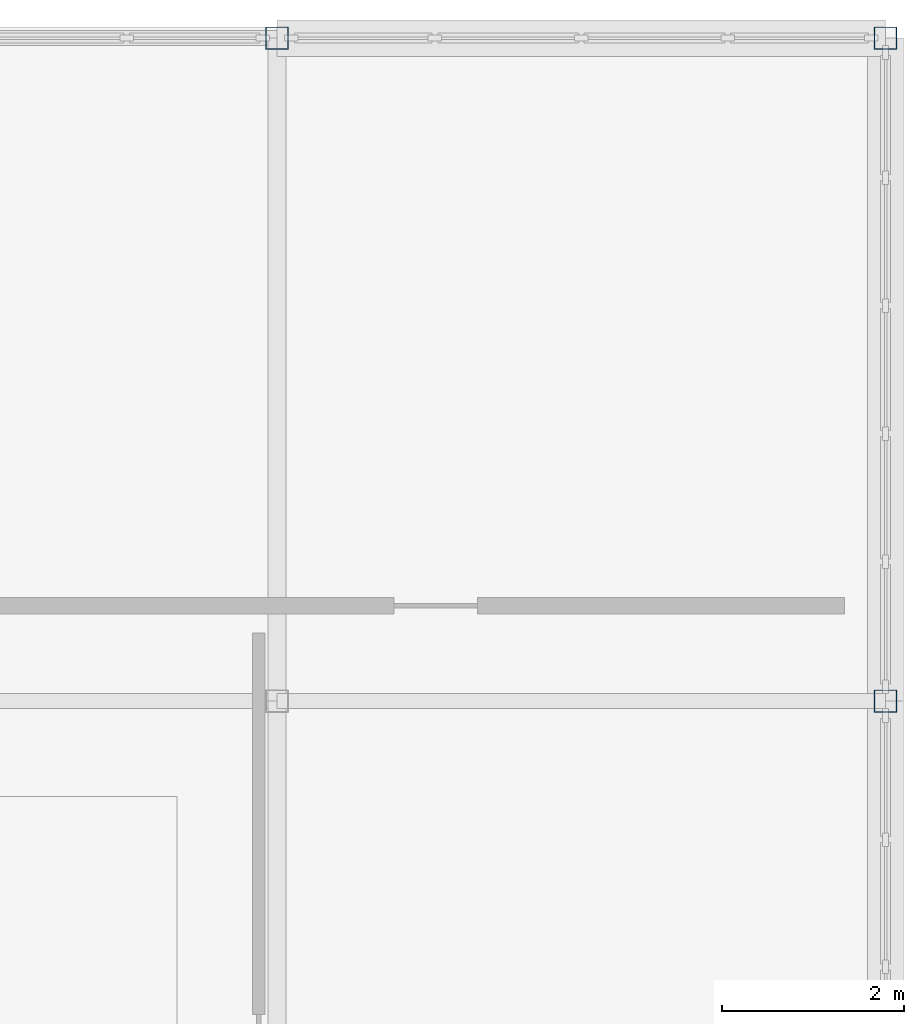
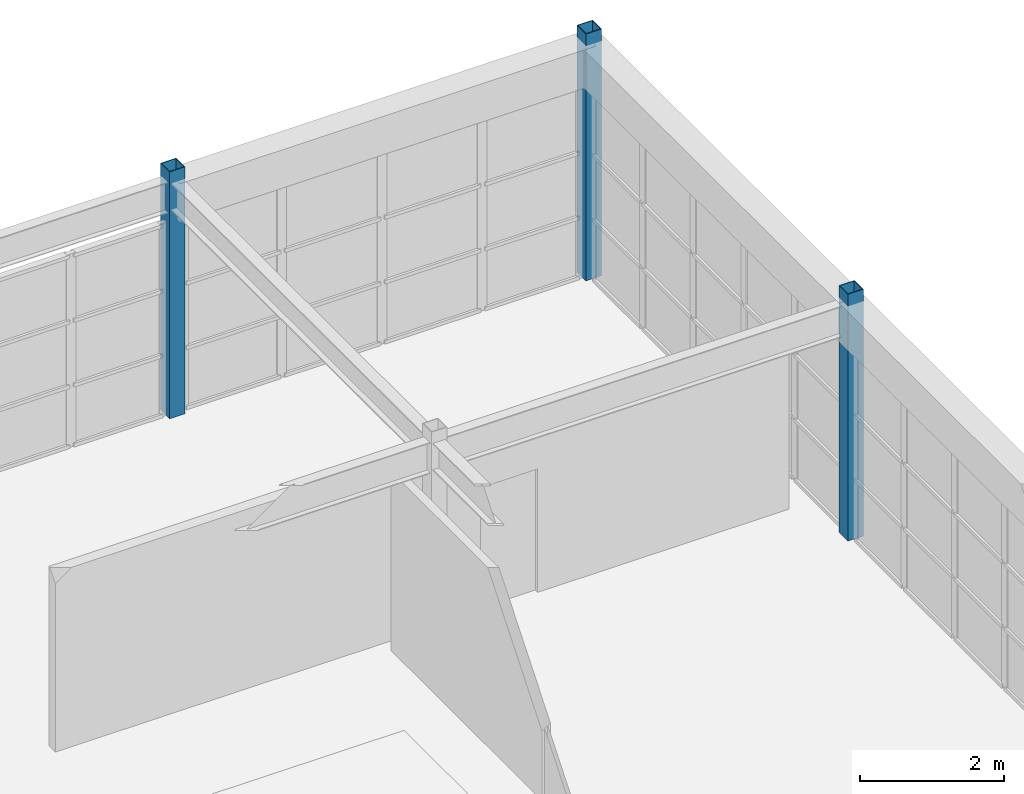
# One storey, part 4 of 19: 3 columns.
"""IFC4 building model written with IfcOpenShell, lengths in metres."""

from ifc_helpers import new_model, si_unit, direction, frame, origin, origin_2d, place, context, subcontext, project, spatial, hollow_rectangle, extrude, material, material_profile, profile_set, type_object, element, save


model = new_model("IFC4")

# Units and contexts
model_context = context("Model", 3, precision=1e-05, world=origin(), true_north=direction((0.0, 1.0)))
body_context = subcontext(model_context, "Body", "Model", "MODEL_VIEW")
ifc_project = project(units=[si_unit("LENGTHUNIT", "METRE"), si_unit("AREAUNIT", "SQUARE_METRE"), si_unit("VOLUMEUNIT", "CUBIC_METRE"), si_unit("PLANEANGLEUNIT", "RADIAN"), si_unit("MASSUNIT", "GRAM", prefix="KILO")], contexts=[model_context])

# Site, building, storey
site_placement = place(None, origin())
site = spatial("IfcSite", under=ifc_project, at=site_placement, CompositionType="ELEMENT")
building_placement = place(site_placement, origin())
building = spatial("IfcBuilding", under=site, at=building_placement, Name="Candilejo Ridge Gondola Terminal", CompositionType="ELEMENT")
storey_placement = place(building_placement, frame((0.0, 0.0, 22.800048828125)))
storey = spatial("IfcBuildingStorey", under=building, at=storey_placement, Name="L05", CompositionType="ELEMENT", Elevation=22.800048828125)

# Columns
ifc_material = material(Name="Steel ASTM A500 Grade C", Category="steel")
ifc_material_profile = material_profile(ifc_material, hollow_rectangle(XDim=0.25, YDim=0.25, WallThickness=0.010009765625, at=origin_2d()))
ifc_profile_set = profile_set([ifc_material_profile], Name="Steel ASTM A500 Grade C")
column_type = type_object("IfcColumnType", Name="STR-COL-HSS250", PredefinedType="COLUMN", material=ifc_profile_set)
for number, where, z_axis, x_axis, name in (
    (1, (168.60009765625, 120.85009765625, 0.0), (0.0, 0.0, 1.0), (1.0, 0.0, 0.0), "Column V5 L05 X25-Y20"),
    (2, (175.300048828125, 113.550048828125, 0.0), (0.0, 0.0, 1.0), (1.0, 0.0, 0.0), "Column V5 L05 X27-Y19"),
    (3, (175.300048828125, 120.85009765625, 0.0), (0.0, 0.0, 1.0), (1.0, 0.0, 0.0), "Column V5 L05 X27-Y20"),
):
    element("IfcColumn", number, at=place(storey_placement, frame(where, z_axis=z_axis, x_axis=x_axis)), inside=storey, type_object=column_type, Name=name, PredefinedType="COLUMN", context=body_context, shape_type="SweptSolid", body=[
        extrude(hollow_rectangle(XDim=0.25, YDim=0.25, WallThickness=0.010009765625, at=origin_2d()), origin(), (0.0, 0.0, 1.0), 4.199951171875),
    ])

save(model, "model.ifc")
